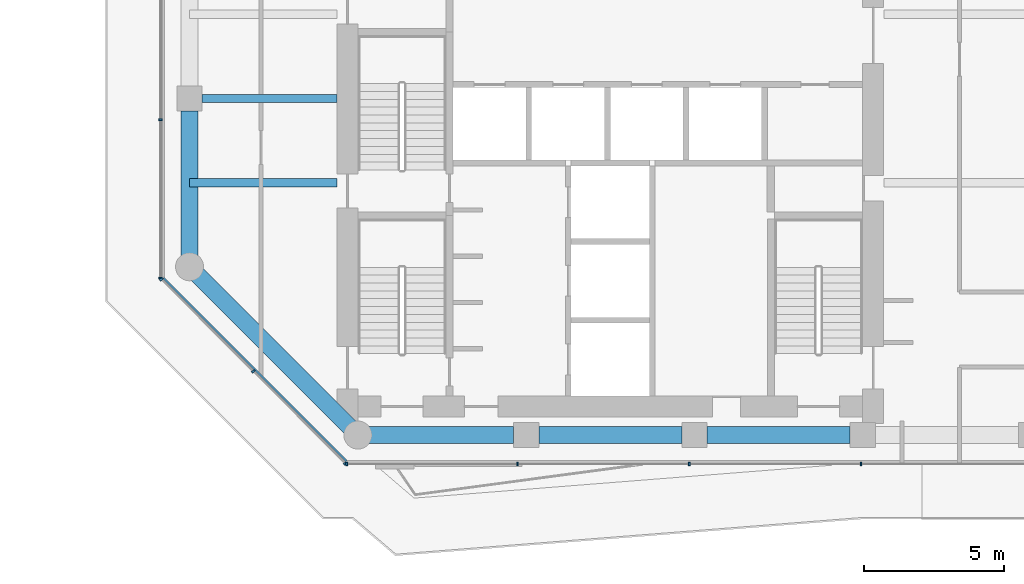
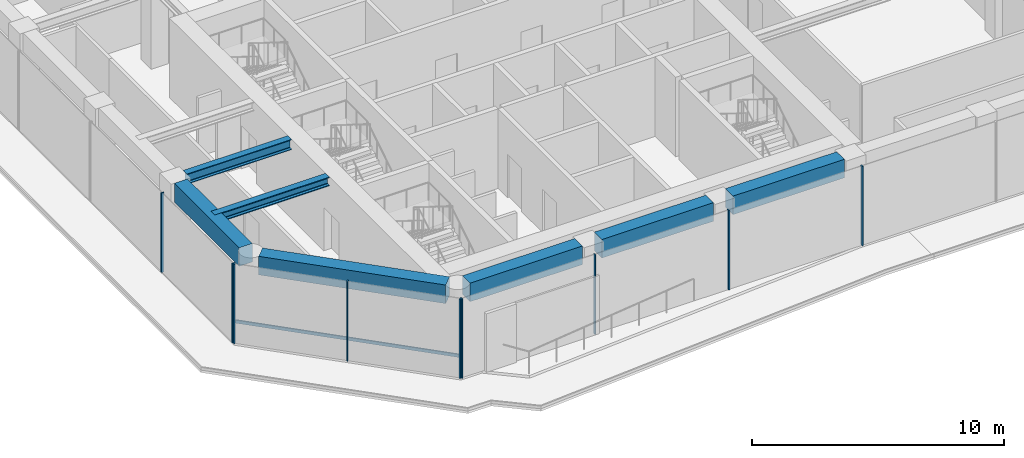
# One storey, part 2 of 25: 10 members, 7 beams, 3 elements without a shape of their own.
"""IFC4 building model written with IfcOpenShell, lengths in metres."""

from ifc_helpers import new_model, si_unit, direction, frame, origin, origin_2d, place, context, subcontext, project, spatial, rectangle, i_section, extrude, material, layer, layer_set, material_profile, profile_set, type_object, element, aggregate, save


model = new_model("IFC4")

# Units and contexts
model_context = context("Model", 3, precision=1e-05, world=origin(), true_north=direction((0.0, 1.0)))
body_context = subcontext(model_context, "Body", "Model", "MODEL_VIEW")
ifc_project = project(units=[si_unit("LENGTHUNIT", "METRE"), si_unit("AREAUNIT", "SQUARE_METRE"), si_unit("VOLUMEUNIT", "CUBIC_METRE"), si_unit("PLANEANGLEUNIT", "RADIAN"), si_unit("MASSUNIT", "GRAM", prefix="KILO")], contexts=[model_context])

# Site, building, storey
site_placement = place(None, origin())
site = spatial("IfcSite", under=ifc_project, at=site_placement, CompositionType="ELEMENT")
building_placement = place(site_placement, origin())
building = spatial("IfcBuilding", under=site, at=building_placement, Name="Welwitschia Terrace Campus", CompositionType="ELEMENT")
storey_placement = place(building_placement, frame((0.0, 0.0, 92.0)))
storey = spatial("IfcBuildingStorey", under=building, at=storey_placement, Name="L20", CompositionType="ELEMENT", Elevation=92.0)

# Beam
ifc_material_1 = material(Name="Steel S355", Category="steel")
ifc_material_profile_1 = material_profile(ifc_material_1, i_section(OverallWidth=0.306884765625, OverallDepth=0.431884765625, WebThickness=0.02099609375, FlangeThickness=0.0400390625, FilletRadius=0.027099609375, at=origin_2d()))
ifc_profile_set_1 = profile_set([ifc_material_profile_1], Name="Steel S355")
beam_type_1 = type_object("IfcBeamType", Name="Interior girder HE 400 M", PredefinedType="BEAM", material=ifc_profile_set_1)
beam_1_placement = place(storey_placement, frame((-0.010009765625, 13.0, 3.634033203125), z_axis=(1.0, 0.0, 0.0), x_axis=(0.0, 1.0, 0.0)))
element("IfcBeam", 1, at=beam_1_placement, inside=storey, type_object=beam_type_1, Name="Girder GB3", PredefinedType="BEAM", context=body_context, shape_type="SweptSolid", body=[
    extrude(i_section(OverallWidth=0.306884765625, OverallDepth=0.431884765625, WebThickness=0.02099609375, FlangeThickness=0.0400390625, FilletRadius=0.027099609375, at=origin_2d()), origin(), (0.0, 0.0, 1.0), 5.259033203125),
])

# Curtain wall, members
ifc_material_2 = material(Name="Bronze anodised aluminium", Category="aluminium")
ifc_layer = layer(ifc_material_2, 0.1201171875)
ifc_layer_set = layer_set([ifc_layer], Name="Bronze anodised aluminium")
curtain_wall_type = type_object("IfcCurtainWallType", Name="Curtain wall CW2 tower 6000", PredefinedType="NOTDEFINED", material=ifc_layer_set)
curtain_wall_1_placement = place(storey_placement, origin())
curtain_wall_1 = element("IfcCurtainWall", 2, at=curtain_wall_1_placement, inside=storey, type_object=curtain_wall_type, Name="CW L20.1.0", PredefinedType="NOTDEFINED")
ifc_material_3 = material(Name="Bronze anodised aluminium", Category="aluminium")
ifc_material_profile_2 = material_profile(ifc_material_3, rectangle(XDim=0.1201171875, YDim=0.06005859375, at=origin_2d()))
ifc_profile_set_2 = profile_set([ifc_material_profile_2], Name="Bronze anodised aluminium")
member_type_1 = type_object("IfcMemberType", Name="Mullion 60x120", PredefinedType="MULLION", material=ifc_profile_set_2)
member_1_placement = place(storey_placement, frame((-1.030029296875, 15.2421875, 0.0), z_axis=(0.0, 0.0, 1.0), x_axis=(1.0, 0.0, 0.0)))
member_1 = element("IfcMember", 3, at=member_1_placement, type_object=member_type_1, Name="Mullion L20.1.0.3", PredefinedType="MULLION", context=body_context, shape_type="SweptSolid", body=[
    extrude(rectangle(XDim=0.1201171875, YDim=0.06005859375, at=origin_2d()), origin(), (0.0, 0.0, 1.0), 3.85009765625),
])
member_2_placement = place(storey_placement, frame((-1.030029296875, 9.603271484375, 0.0), z_axis=(0.0, 0.0, 1.0), x_axis=(1.0, 0.0, 0.0)))
member_2 = element("IfcMember", 4, at=member_2_placement, type_object=member_type_1, Name="Mullion L20.1.0.4", PredefinedType="MULLION", context=body_context, shape_type="SweptSolid", body=[
    extrude(rectangle(XDim=0.1201171875, YDim=0.06005859375, at=origin_2d()), origin(), (0.0, 0.0, 1.0), 3.85009765625),
])
aggregate(curtain_wall_1, [member_1, member_2])

curtain_wall_2_placement = place(storey_placement, origin())
curtain_wall_2 = element("IfcCurtainWall", 5, at=curtain_wall_2_placement, inside=storey, type_object=curtain_wall_type, Name="CW L20.2.0", PredefinedType="NOTDEFINED")
member_3_placement = place(storey_placement, frame((-1.0087890625, 9.55224609375, 0.0), z_axis=(0.0, 0.0, 1.0), x_axis=(0.707106781187, 0.707106781187, 0.0)))
member_3 = element("IfcMember", 6, at=member_3_placement, type_object=member_type_1, Name="Mullion L20.2.0.0", PredefinedType="MULLION", context=body_context, shape_type="SweptSolid", body=[
    extrude(rectangle(XDim=0.1201171875, YDim=0.06005859375, at=origin_2d()), origin(), (0.0, 0.0, 1.0), 3.85009765625),
])
member_4_placement = place(storey_placement, frame((2.271728515625, 6.271728515625, 0.0), z_axis=(0.0, 0.0, 1.0), x_axis=(0.707106781187, 0.707106781187, 0.0)))
member_4 = element("IfcMember", 7, at=member_4_placement, type_object=member_type_1, Name="Mullion L20.2.0.1", PredefinedType="MULLION", context=body_context, shape_type="SweptSolid", body=[
    extrude(rectangle(XDim=0.1201171875, YDim=0.06005859375, at=origin_2d()), origin(), (0.0, 0.0, 1.0), 3.85009765625),
])
member_5_placement = place(storey_placement, frame((5.55224609375, 2.9912109375, 0.0), z_axis=(0.0, 0.0, 1.0), x_axis=(0.707106781187, 0.707106781187, 0.0)))
member_5 = element("IfcMember", 8, at=member_5_placement, type_object=member_type_1, Name="Mullion L20.2.0.2", PredefinedType="MULLION", context=body_context, shape_type="SweptSolid", body=[
    extrude(rectangle(XDim=0.1201171875, YDim=0.06005859375, at=origin_2d()), origin(), (0.0, 0.0, 1.0), 3.85009765625),
])

curtain_wall_3_placement = place(storey_placement, origin())
curtain_wall_3 = element("IfcCurtainWall", 9, at=curtain_wall_3_placement, inside=storey, type_object=curtain_wall_type, Name="CW L20.3.0", PredefinedType="NOTDEFINED")
member_6_placement = place(storey_placement, frame((5.603271484375, 2.969970703125, 0.0), z_axis=(0.0, 0.0, 1.0), x_axis=(0.0, 1.0, 0.0)))
member_6 = element("IfcMember", 10, at=member_6_placement, type_object=member_type_1, Name="Mullion L20.3.0.0", PredefinedType="MULLION", context=body_context, shape_type="SweptSolid", body=[
    extrude(rectangle(XDim=0.1201171875, YDim=0.06005859375, at=origin_2d()), origin(), (0.0, 0.0, 1.0), 3.85009765625),
])
member_7_placement = place(storey_placement, frame((11.6953125, 2.969970703125, 0.0), z_axis=(0.0, 0.0, 1.0), x_axis=(0.0, 1.0, 0.0)))
member_7 = element("IfcMember", 11, at=member_7_placement, type_object=member_type_1, Name="Mullion L20.3.0.1", PredefinedType="MULLION", context=body_context, shape_type="SweptSolid", body=[
    extrude(rectangle(XDim=0.1201171875, YDim=0.06005859375, at=origin_2d()), origin(), (0.0, 0.0, 1.0), 3.85009765625),
])
member_8_placement = place(storey_placement, frame((17.817138671875, 2.969970703125, 0.0), z_axis=(0.0, 0.0, 1.0), x_axis=(0.0, 1.0, 0.0)))
member_8 = element("IfcMember", 12, at=member_8_placement, type_object=member_type_1, Name="Mullion L20.3.0.2", PredefinedType="MULLION", context=body_context, shape_type="SweptSolid", body=[
    extrude(rectangle(XDim=0.1201171875, YDim=0.06005859375, at=origin_2d()), origin(), (0.0, 0.0, 1.0), 3.85009765625),
])
member_9_placement = place(storey_placement, frame((23.93896484375, 2.969970703125, 0.0), z_axis=(0.0, 0.0, 1.0), x_axis=(0.0, 1.0, 0.0)))
member_9 = element("IfcMember", 13, at=member_9_placement, type_object=member_type_1, Name="Mullion L20.3.0.3", PredefinedType="MULLION", context=body_context, shape_type="SweptSolid", body=[
    extrude(rectangle(XDim=0.1201171875, YDim=0.06005859375, at=origin_2d()), origin(), (0.0, 0.0, 1.0), 3.85009765625),
])
aggregate(curtain_wall_3, [member_6, member_7, member_8, member_9])

# Beams
ifc_material_4 = material(Name="Steel S355", Category="steel")
ifc_material_profile_3 = material_profile(ifc_material_4, i_section(OverallWidth=0.300048828125, OverallDepth=0.5, WebThickness=0.014404296875, FlangeThickness=0.028076171875, FilletRadius=0.027099609375, at=origin_2d()))
ifc_profile_set_3 = profile_set([ifc_material_profile_3], Name="Steel S355")
beam_type_2 = type_object("IfcBeamType", Name="Primary beam HE 500 B", PredefinedType="BEAM", material=ifc_profile_set_3)
beam_2_placement = place(storey_placement, frame((0.450439453125, 16.0, 3.60009765625), z_axis=(1.0, 0.0, 0.0), x_axis=(0.0, 1.0, 0.0)))
element("IfcBeam", 14, at=beam_2_placement, inside=storey, type_object=beam_type_2, Name="Primary beam PB3", PredefinedType="BEAM", context=body_context, shape_type="SweptSolid", body=[
    extrude(i_section(OverallWidth=0.300048828125, OverallDepth=0.5, WebThickness=0.014404296875, FlangeThickness=0.028076171875, FilletRadius=0.027099609375, at=origin_2d()), origin(), (0.0, 0.0, 1.0), 4.799560546875),
])
ifc_material_5 = material(Name="Concrete C60/75", Category="concrete")
ifc_material_profile_4 = material_profile(ifc_material_5, rectangle(XDim=0.60009765625, YDim=0.89990234375, at=origin_2d()))
ifc_profile_set_4 = profile_set([ifc_material_profile_4], Name="Concrete C60/75")
beam_type_3 = type_object("IfcBeamType", Name="Ring spandrel 600x900", PredefinedType="SPANDREL", material=ifc_profile_set_4)
beam_3_placement = place(storey_placement, frame((0.283203125, 9.716796875, 3.39990234375), z_axis=(0.707106781187, -0.707106781187, 0.0), x_axis=(0.707106781187, 0.707106781187, 0.0)))
element("IfcBeam", 15, at=beam_3_placement, inside=storey, type_object=beam_type_3, Name="Spandrel SP2", PredefinedType="SPANDREL", context=body_context, shape_type="SweptSolid", body=[
    extrude(rectangle(XDim=0.60009765625, YDim=0.89990234375, at=origin_2d()), origin(), (0.0, 0.0, 1.0), 7.684326171875),
])
beam_4_placement = place(storey_placement, frame((6.400390625, 4.0, 3.39990234375), z_axis=(1.0, 0.0, 0.0), x_axis=(0.0, 1.0, 0.0)))
element("IfcBeam", 16, at=beam_4_placement, inside=storey, type_object=beam_type_3, Name="Spandrel SP2", PredefinedType="SPANDREL", context=body_context, shape_type="SweptSolid", body=[
    extrude(rectangle(XDim=0.60009765625, YDim=0.89990234375, at=origin_2d()), origin(), (0.0, 0.0, 1.0), 5.149169921875),
])
for number, where, z_axis, x_axis, name in (
    (17, (12.450439453125, 4.0, 3.39990234375), (1.0, 0.0, 0.0), (0.0, 1.0, 0.0), "Spandrel SP2"),
    (18, (18.450439453125, 4.0, 3.39990234375), (1.0, 0.0, 0.0), (0.0, 1.0, 0.0), "Spandrel SP2"),
):
    element("IfcBeam", number, at=place(storey_placement, frame(where, z_axis=z_axis, x_axis=x_axis)), inside=storey, type_object=beam_type_3, Name=name, PredefinedType="SPANDREL", context=body_context, shape_type="SweptSolid", body=[
        extrude(rectangle(XDim=0.60009765625, YDim=0.89990234375, at=origin_2d()), origin(), (0.0, 0.0, 1.0), 5.09912109375),
    ])
beam_5_placement = place(storey_placement, frame((0.0, 15.549560546875, 3.39990234375), z_axis=(0.0, -1.0, 0.0), x_axis=(1.0, 0.0, 0.0)))
element("IfcBeam", 19, at=beam_5_placement, inside=storey, type_object=beam_type_3, Name="Spandrel SP2", PredefinedType="SPANDREL", context=body_context, shape_type="SweptSolid", body=[
    extrude(rectangle(XDim=0.60009765625, YDim=0.89990234375, at=origin_2d()), origin(), (0.0, 0.0, 1.0), 5.149169921875),
])

# Member
ifc_material_6 = material(Name="Bronze anodised aluminium", Category="aluminium")
ifc_material_profile_5 = material_profile(ifc_material_6, rectangle(XDim=0.06005859375, YDim=0.14990234375, at=origin_2d()))
ifc_profile_set_5 = profile_set([ifc_material_profile_5], Name="Bronze anodised aluminium")
member_type_2 = type_object("IfcMemberType", Name="Transom 60x150", PredefinedType="USERDEFINED", material=ifc_profile_set_5)
member_10_placement = place(storey_placement, frame((-0.923828125, 9.594482421875, 1.0), z_axis=(0.707106781187, -0.707106781187, 0.0), x_axis=(0.707106781187, 0.707106781187, 0.0)))
member_10 = element("IfcMember", 20, at=member_10_placement, type_object=member_type_2, Name="Transom L20.2.0", ObjectType="TRANSOM", PredefinedType="USERDEFINED", context=body_context, shape_type="SweptSolid", body=[
    extrude(rectangle(XDim=0.06005859375, YDim=0.14990234375, at=origin_2d()), origin(), (0.0, 0.0, 1.0), 9.21826171875),
])

aggregate(curtain_wall_2, [member_3, member_4, member_5, member_10])

save(model, "model.ifc")
